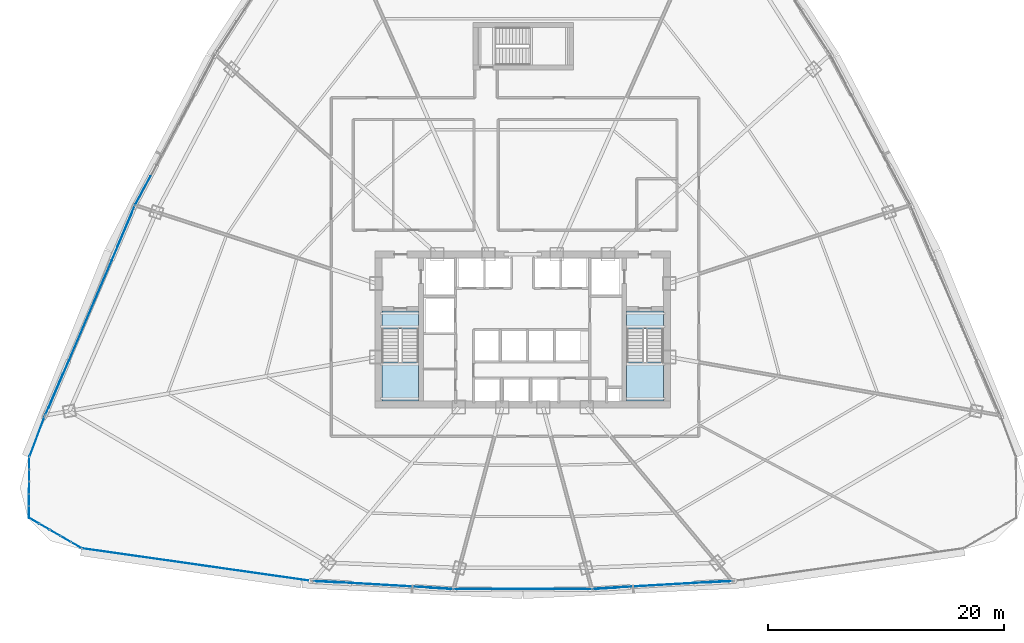
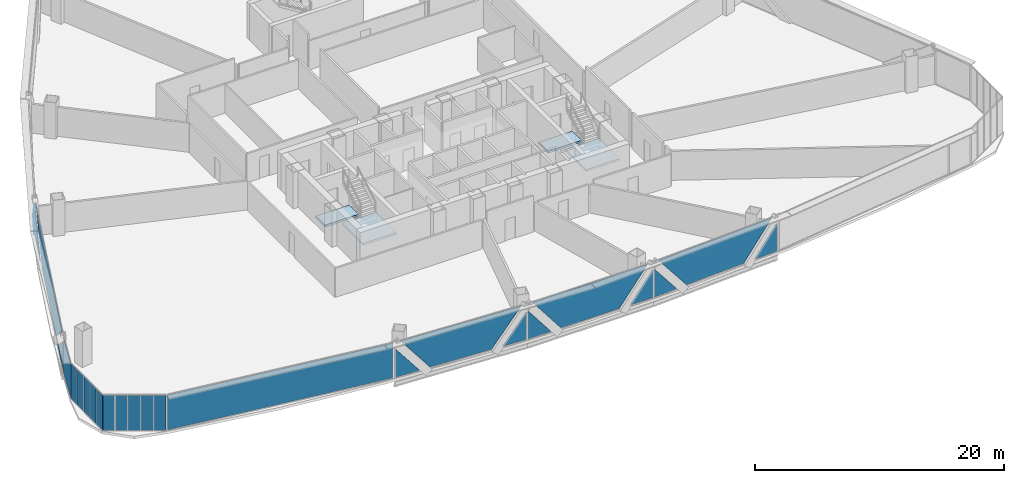
# One storey, part 28 of 39: 25 plates, 4 slabs, 11 elements without a shape of their own.
"""IFC4 building model written with IfcOpenShell, lengths in metres."""

from ifc_helpers import new_model, si_unit, direction, frame, origin, origin_2d, place, context, subcontext, project, spatial, polyline, rectangle, outline, extrude, source, transform, mapped, material, layer, layer_set, type_object, element, aggregate, save


model = new_model("IFC4")

# Units and contexts
model_context = context("Model", 3, precision=1e-05, world=origin(), true_north=direction((0.0, 1.0)))
body_context = subcontext(model_context, "Body", "Model", "MODEL_VIEW")
ifc_project = project(units=[si_unit("LENGTHUNIT", "METRE"), si_unit("AREAUNIT", "SQUARE_METRE"), si_unit("VOLUMEUNIT", "CUBIC_METRE"), si_unit("PLANEANGLEUNIT", "RADIAN"), si_unit("MASSUNIT", "GRAM", prefix="KILO"), si_unit("THERMODYNAMICTEMPERATUREUNIT", "KELVIN"), si_unit("POWERUNIT", "WATT")], contexts=[model_context])

# Site, building, storey
site_placement = place(None, origin())
site = spatial("IfcSite", under=ifc_project, at=site_placement, CompositionType="ELEMENT")
building_placement = place(site_placement, origin())
building = spatial("IfcBuilding", under=site, at=building_placement, Name="Yunzhuo Pagoda Commons", CompositionType="ELEMENT")
storey_placement = place(building_placement, frame((0.0, 0.0, 92.580078125)))
storey = spatial("IfcBuildingStorey", under=building, at=storey_placement, Name="L23", CompositionType="ELEMENT", Elevation=92.580078125)

# Curtain wall, plates
ifc_material_1 = material(Name="Anodized aluminium 6063-T6", Category="aluminium")
ifc_layer_1 = layer(ifc_material_1, 0.1650390625)
ifc_layer_set_1 = layer_set([ifc_layer_1], Name="Anodized aluminium 6063-T6")
curtain_wall_type_1 = type_object("IfcCurtainWallType", Name="CW-LOW Low-Zone Ribbon Curtain Wall", PredefinedType="NOTDEFINED", material=ifc_layer_set_1)
curtain_wall_1_placement = place(storey_placement, origin())
curtain_wall_1 = element("IfcCurtainWall", 1, at=curtain_wall_1_placement, inside=storey, type_object=curtain_wall_type_1, Name="L23 curtain wall CW-L23-F1B2", PredefinedType="NOTDEFINED")
ifc_material_2 = material(Name="Tempered low-e double glazing", Category="glass")
ifc_layer_2 = layer(ifc_material_2, 0.028076171875)
ifc_layer_set_2 = layer_set([ifc_layer_2], Name="Tempered low-e double glazing")
plate_type_1 = type_object("IfcPlateType", Name="CW-LOW-P Low-E Double Glazing 28", PredefinedType="CURTAIN_PANEL", material=ifc_layer_set_2)
plate_1_placement = place(storey_placement, frame((31.40478515625, 12.494873046875, 1.450439453125), z_axis=(-0.057299493103, -0.998357034377, 0.0), x_axis=(0.998357034377, -0.057299493103, 0.0)))
plate_1 = element("IfcPlate", 2, at=plate_1_placement, type_object=plate_type_1, Name="CW panel 1.1 lite 1", PredefinedType="CURTAIN_PANEL", context=body_context, shape_type="SweptSolid", body=[
    extrude(outline(polyline([(-1.09033203125, -1.390625), (1.09033203125, -1.390625), (-1.09033203125, 1.390625), (-1.09033203125, -1.390625)])), origin(), (0.0, 0.0, 1.0), 0.028076171875),
])
plate_2_placement = place(storey_placement, frame((36.202392578125, 12.24951171875, 1.77001953125), z_axis=(-0.057299493103, -0.998357034377, 0.0), x_axis=(0.998357034377, -0.057299493103, 0.0)))
plate_2 = element("IfcPlate", 3, at=plate_2_placement, type_object=plate_type_1, Name="CW panel 1.1 lite 2", PredefinedType="CURTAIN_PANEL", context=body_context, shape_type="SweptSolid", body=[
    extrude(outline(polyline([(-5.42919921875, 1.7099609375), (-2.74755859375, -1.7099609375), (2.74755859375, -1.7099609375), (5.42919921875, 1.7099609375), (-5.42919921875, 1.7099609375)])), origin(), (0.0, 0.0, 1.0), 0.028076171875),
])
plate_3_placement = place(storey_placement, frame((40.996337890625, 11.9443359375, 1.450439453125), z_axis=(-0.057299493103, -0.998357034377, 0.0), x_axis=(0.998357034377, -0.057299493103, 0.0)))
plate_3 = element("IfcPlate", 4, at=plate_3_placement, type_object=plate_type_1, Name="CW panel 1.1 lite 3", PredefinedType="CURTAIN_PANEL", context=body_context, shape_type="SweptSolid", body=[
    extrude(outline(polyline([(-1.09033203125, -1.390625), (1.09033203125, -1.390625), (1.09033203125, 1.390625), (-1.09033203125, -1.390625)])), origin(), (0.0, 0.0, 1.0), 0.028076171875),
])
aggregate(curtain_wall_1, [plate_1, plate_2, plate_3])

curtain_wall_2_placement = place(storey_placement, origin())
curtain_wall_2 = element("IfcCurtainWall", 5, at=curtain_wall_2_placement, inside=storey, type_object=curtain_wall_type_1, Name="L23 curtain wall CW-L23-F1B3", PredefinedType="NOTDEFINED")
plate_4_placement = place(storey_placement, frame((43.281494140625, 11.87841796875, 1.4462890625), z_axis=(0.0, -1.0, 0.0), x_axis=(1.0, 0.0, 0.0)))
plate_4 = element("IfcPlate", 6, at=plate_4_placement, type_object=plate_type_1, Name="CW panel 1.1 lite 1", PredefinedType="CURTAIN_PANEL", context=body_context, shape_type="SweptSolid", body=[
    extrude(outline(polyline([(-1.0673828125, -1.38623046875), (1.0673828125, -1.38623046875), (-1.0673828125, 1.38623046875), (-1.0673828125, -1.38623046875)])), origin(), (0.0, 0.0, 1.0), 0.028076171875),
])
plate_5_placement = place(storey_placement, frame((48.0, 11.908203125, 1.77001953125), z_axis=(0.0, -1.0, 0.0), x_axis=(1.0, 0.0, 0.0)))
plate_5 = element("IfcPlate", 7, at=plate_5_placement, type_object=plate_type_1, Name="CW panel 1.1 lite 2", PredefinedType="CURTAIN_PANEL", context=body_context, shape_type="SweptSolid", body=[
    extrude(outline(polyline([(-5.3251953125, 1.7099609375), (-2.692138671875, -1.7099609375), (2.692138671875, -1.7099609375), (5.3251953125, 1.7099609375), (-5.3251953125, 1.7099609375)])), origin(), (0.0, 0.0, 1.0), 0.028076171875),
])
plate_6_placement = place(storey_placement, frame((52.718505859375, 11.87841796875, 1.4462890625), z_axis=(0.0, -1.0, 0.0), x_axis=(1.0, 0.0, 0.0)))
plate_6 = element("IfcPlate", 8, at=plate_6_placement, type_object=plate_type_1, Name="CW panel 1.1 lite 3", PredefinedType="CURTAIN_PANEL", context=body_context, shape_type="SweptSolid", body=[
    extrude(outline(polyline([(-1.0673828125, -1.38623046875), (1.0673828125, -1.38623046875), (1.0673828125, 1.38623046875), (-1.0673828125, -1.38623046875)])), origin(), (0.0, 0.0, 1.0), 0.028076171875),
])
aggregate(curtain_wall_2, [plate_4, plate_5, plate_6])

curtain_wall_3_placement = place(storey_placement, origin())
curtain_wall_3 = element("IfcCurtainWall", 9, at=curtain_wall_3_placement, inside=storey, type_object=curtain_wall_type_1, Name="L23 curtain wall CW-L23-F1B4", PredefinedType="NOTDEFINED")
plate_7_placement = place(storey_placement, frame((55.003662109375, 11.9443359375, 1.450439453125), z_axis=(0.057299493103, -0.998357034377, 0.0), x_axis=(0.998357034377, 0.057299493103, 0.0)))
plate_7 = element("IfcPlate", 10, at=plate_7_placement, type_object=plate_type_1, Name="CW panel 1.1 lite 1", PredefinedType="CURTAIN_PANEL", context=body_context, shape_type="SweptSolid", body=[
    extrude(outline(polyline([(-1.09033203125, -1.390625), (1.09033203125, -1.390625), (-1.09033203125, 1.390625), (-1.09033203125, -1.390625)])), origin(), (0.0, 0.0, 1.0), 0.028076171875),
])
plate_8_placement = place(storey_placement, frame((59.797607421875, 12.24951171875, 1.77001953125), z_axis=(0.057299493103, -0.998357034377, 0.0), x_axis=(0.998357034377, 0.057299493103, 0.0)))
plate_8 = element("IfcPlate", 11, at=plate_8_placement, type_object=plate_type_1, Name="CW panel 1.1 lite 2", PredefinedType="CURTAIN_PANEL", context=body_context, shape_type="SweptSolid", body=[
    extrude(outline(polyline([(-5.42919921875, 1.7099609375), (-2.74755859375, -1.7099609375), (2.74755859375, -1.7099609375), (5.42919921875, 1.7099609375), (-5.42919921875, 1.7099609375)])), origin(), (0.0, 0.0, 1.0), 0.028076171875),
])
plate_9_placement = place(storey_placement, frame((64.59521484375, 12.494873046875, 1.450439453125), z_axis=(0.057299493103, -0.998357034377, 0.0), x_axis=(0.998357034377, 0.057299493103, 0.0)))
plate_9 = element("IfcPlate", 12, at=plate_9_placement, type_object=plate_type_1, Name="CW panel 1.1 lite 3", PredefinedType="CURTAIN_PANEL", context=body_context, shape_type="SweptSolid", body=[
    extrude(outline(polyline([(-1.09033203125, -1.390625), (1.09033203125, -1.390625), (1.09033203125, 1.390625), (-1.09033203125, -1.390625)])), origin(), (0.0, 0.0, 1.0), 0.028076171875),
])
aggregate(curtain_wall_3, [plate_7, plate_8, plate_9])

# Curtain wall, plate
curtain_wall_4_placement = place(storey_placement, origin())
curtain_wall_4 = element("IfcCurtainWall", 13, at=curtain_wall_4_placement, inside=storey, type_object=curtain_wall_type_1, Name="L23 curtain wall CW-L23-F3B3", PredefinedType="NOTDEFINED")
plate_10_placement = place(storey_placement, frame((15.885009765625, 45.60791015625, 1.489990234375), z_axis=(-0.882975865639, 0.469418385558, 0.0), x_axis=(-0.469418385558, -0.882975865639, 0.0)))
plate_10 = element("IfcPlate", 14, at=plate_10_placement, type_object=plate_type_1, Name="CW panel 1.1 lite 3", PredefinedType="CURTAIN_PANEL", context=body_context, shape_type="SweptSolid", body=[
    extrude(outline(polyline([(-1.360107421875, -1.43017578125), (1.360107421875, -1.43017578125), (1.360107421875, 1.43017578125), (-1.360107421875, -1.43017578125)])), origin(), (0.0, 0.0, 1.0), 0.028076171875),
])
aggregate(curtain_wall_4, [plate_10])

# Curtain wall, plates
curtain_wall_5_placement = place(storey_placement, origin())
curtain_wall_5 = element("IfcCurtainWall", 15, at=curtain_wall_5_placement, inside=storey, type_object=curtain_wall_type_1, Name="L23 curtain wall CW-L23-F3B4", PredefinedType="NOTDEFINED")
plate_11_placement = place(storey_placement, frame((14.453857421875, 42.56787109375, 1.53271484375), z_axis=(-0.919382894415, 0.393363818185, 0.0), x_axis=(-0.393363818185, -0.919382894415, 0.0)))
plate_11 = element("IfcPlate", 16, at=plate_11_placement, type_object=plate_type_1, Name="CW panel 1.1 lite 1", PredefinedType="CURTAIN_PANEL", context=body_context, shape_type="SweptSolid", body=[
    extrude(outline(polyline([(-1.873779296875, -1.472900390625), (1.873779296875, -1.472900390625), (-1.873779296875, 1.472900390625), (-1.873779296875, -1.472900390625)])), origin(), (0.0, 0.0, 1.0), 0.028076171875),
])
plate_12_placement = place(storey_placement, frame((11.4404296875, 35.448486328125, 1.77001953125), z_axis=(-0.919382894415, 0.393363818185, 0.0), x_axis=(-0.393363818185, -0.919382894415, 0.0)))
plate_12 = element("IfcPlate", 17, at=plate_12_placement, type_object=plate_type_1, Name="CW panel 1.1 lite 2", PredefinedType="CURTAIN_PANEL", context=body_context, shape_type="SweptSolid", body=[
    extrude(outline(polyline([(-8.978515625, 1.7099609375), (-4.627197265625, -1.7099609375), (4.627197265625, -1.7099609375), (8.978515625, 1.7099609375), (-8.978515625, 1.7099609375)])), origin(), (0.0, 0.0, 1.0), 0.028076171875),
])
plate_13_placement = place(storey_placement, frame((8.371826171875, 28.352783203125, 1.53271484375), z_axis=(-0.919382894415, 0.393363818185, 0.0), x_axis=(-0.393363818185, -0.919382894415, 0.0)))
plate_13 = element("IfcPlate", 18, at=plate_13_placement, type_object=plate_type_1, Name="CW panel 1.1 lite 3", PredefinedType="CURTAIN_PANEL", context=body_context, shape_type="SweptSolid", body=[
    extrude(outline(polyline([(-1.873779296875, -1.472900390625), (1.873779296875, -1.472900390625), (1.873779296875, 1.472900390625), (-1.873779296875, -1.472900390625)])), origin(), (0.0, 0.0, 1.0), 0.028076171875),
])
aggregate(curtain_wall_5, [plate_11, plate_12, plate_13])

# Stair, slabs
ifc_material_3 = material(Name="Concrete C40", Category="concrete")
stair_type_1 = type_object("IfcStairType", Name="ST-C1 Core Smokeproof Stair ST1", PredefinedType="HALF_TURN_STAIR", material=ifc_material_3)
stair_1_placement = place(storey_placement, origin())
stair_1 = element("IfcStair", 19, at=stair_1_placement, inside=storey, type_object=stair_type_1, Name="L23 Core smokeproof stair ST1", PredefinedType="HALF_TURN_STAIR")
ifc_layer_3 = layer(ifc_material_3, 0.199951171875)
ifc_layer_set_3 = layer_set([ifc_layer_3], Name="Concrete C40")
slab_type_1 = type_object("IfcSlabType", Name="SL-LND1 Stair Landing Slab 200", PredefinedType="LANDING", material=ifc_layer_set_3)
slab_1_placement = place(storey_placement, frame((0.0, 0.0, 1.699951171875)))
slab_1 = element("IfcSlab", 20, at=slab_1_placement, type_object=slab_type_1, Name="ST1 landing 1", PredefinedType="LANDING", context=body_context, shape_type="SweptSolid", body=[
    extrude(outline(polyline([(36.10009765625, 31.10009765625), (36.10009765625, 27.800048828125), (39.199951171875, 27.800048828125), (39.199951171875, 31.10009765625), (36.10009765625, 31.10009765625)])), origin(), (0.0, 0.0, 1.0), 0.199951171875),
])
slab_2_placement = place(storey_placement, frame((0.0, 0.0, -0.2001953125)))
slab_2 = element("IfcSlab", 21, at=slab_2_placement, type_object=slab_type_1, Name="ST1 floor landing L23", PredefinedType="LANDING", context=body_context, shape_type="SweptSolid", body=[
    extrude(outline(polyline([(36.10009765625, 35.39990234375), (36.10009765625, 33.89990234375), (39.199951171875, 33.89990234375), (39.199951171875, 35.39990234375), (36.10009765625, 35.39990234375)])), origin(), (0.0, 0.0, 1.0), 0.2001953125),
])
aggregate(stair_1, [slab_1, slab_2])

stair_type_2 = type_object("IfcStairType", Name="ST-C2 Core Smokeproof Stair ST2", PredefinedType="HALF_TURN_STAIR", material=ifc_material_3)
stair_2_placement = place(storey_placement, origin())
stair_2 = element("IfcStair", 22, at=stair_2_placement, inside=storey, type_object=stair_type_2, Name="L23 Core smokeproof stair ST2", PredefinedType="HALF_TURN_STAIR")
ifc_layer_4 = layer(ifc_material_3, 0.201904296875)
ifc_layer_set_4 = layer_set([ifc_layer_4], Name="Concrete C40")
slab_type_2 = type_object("IfcSlabType", Name="SL-LND2 Stair Landing Slab 202", PredefinedType="LANDING", material=ifc_layer_set_4)
slab_3_placement = place(storey_placement, frame((0.0, 0.0, 1.699951171875)))
slab_3 = element("IfcSlab", 23, at=slab_3_placement, type_object=slab_type_2, Name="ST2 landing 1", PredefinedType="LANDING", context=body_context, shape_type="SweptSolid", body=[
    extrude(outline(polyline([(56.800048828125, 31.10009765625), (56.800048828125, 27.800048828125), (59.89990234375, 27.800048828125), (59.89990234375, 31.10009765625), (56.800048828125, 31.10009765625)])), origin(), (0.0, 0.0, 1.0), 0.199951171875),
])
slab_4_placement = place(storey_placement, frame((0.0, 0.0, -0.2001953125)))
slab_4 = element("IfcSlab", 24, at=slab_4_placement, type_object=slab_type_2, Name="ST2 floor landing L23", PredefinedType="LANDING", context=body_context, shape_type="SweptSolid", body=[
    extrude(outline(polyline([(56.800048828125, 35.39990234375), (56.800048828125, 33.89990234375), (59.89990234375, 33.89990234375), (59.89990234375, 35.39990234375), (56.800048828125, 35.39990234375)])), origin(), (0.0, 0.0, 1.0), 0.2001953125),
])
aggregate(stair_2, [slab_3, slab_4])

# Curtain wall, plate
curtain_wall_6_placement = place(storey_placement, origin())
curtain_wall_6 = element("IfcCurtainWall", 25, at=curtain_wall_6_placement, inside=storey, type_object=curtain_wall_type_1, Name="L23 curtain wall CW-L23-F1B1", PredefinedType="NOTDEFINED")
shared_shape_1 = source(origin(), body_context, "Body", "SweptSolid", [
    extrude(rectangle(XDim=19.5625, YDim=0.028076171875, at=origin_2d()), origin(), (0.0, 0.0, 1.0), 3.419921875),
])
plate_14_placement = place(storey_placement, frame((20.427978515625, 13.94384765625, 0.06005859375), z_axis=(0.0, 0.0, 1.0), x_axis=(0.990041803855, -0.140773671614, 0.0)))
plate_14 = element("IfcPlate", 26, at=plate_14_placement, type_object=plate_type_1, Name="CW panel 1.1", PredefinedType="CURTAIN_PANEL", context=body_context, shape_type="MappedRepresentation", body=[
    mapped(shared_shape_1, transform((0.0, 0.0, 0.0), scale=1.0)),
])
aggregate(curtain_wall_6, [plate_14])

curtain_wall_7_placement = place(storey_placement, origin())
curtain_wall_7 = element("IfcCurtainWall", 27, at=curtain_wall_7_placement, inside=storey, type_object=curtain_wall_type_1, Name="L23 curtain wall CW-L23-F3B5", PredefinedType="NOTDEFINED")
shared_shape_2 = source(origin(), body_context, "Body", "SweptSolid", [
    extrude(rectangle(XDim=3.582763671875, YDim=0.028076171875, at=origin_2d()), origin(), (0.0, 0.0, 1.0), 3.419921875),
])
plate_15_placement = place(storey_placement, frame((6.913330078125, 24.768798828125, 0.06005859375), z_axis=(0.0, 0.0, 1.0), x_axis=(-0.353448231461, -0.935454086355, 0.0)))
plate_15 = element("IfcPlate", 28, at=plate_15_placement, type_object=plate_type_1, Name="CW panel 1.1", PredefinedType="CURTAIN_PANEL", context=body_context, shape_type="MappedRepresentation", body=[
    mapped(shared_shape_2, transform((0.0, 0.0, 0.0), scale=1.0)),
])
aggregate(curtain_wall_7, [plate_15])

# Curtain wall, plates
ifc_layer_5 = layer(ifc_material_1, 0.1298828125)
ifc_layer_set_5 = layer_set([ifc_layer_5], Name="Anodized aluminium 6063-T6")
curtain_wall_type_2 = type_object("IfcCurtainWallType", Name="CW-VTX Rounded Corner Curtain Wall", PredefinedType="NOTDEFINED", material=ifc_layer_set_5)
curtain_wall_8_placement = place(storey_placement, origin())
curtain_wall_8 = element("IfcCurtainWall", 29, at=curtain_wall_8_placement, inside=storey, type_object=curtain_wall_type_2, Name="L23 curtain wall CW-L23-VTX1S1", PredefinedType="NOTDEFINED")
ifc_layer_6 = layer(ifc_material_2, 0.02587890625)
ifc_layer_set_6 = layer_set([ifc_layer_6], Name="Tempered low-e double glazing")
plate_type_2 = type_object("IfcPlateType", Name="CW-VTX-P Low-E Double Glazing 26", PredefinedType="CURTAIN_PANEL", material=ifc_layer_set_6)
shared_shape_3 = source(origin(), body_context, "Body", "SweptSolid", [
    extrude(rectangle(XDim=0.953125, YDim=0.028076171875, at=origin_2d()), origin(), (0.0, 0.0, 1.0), 3.429931640625),
])
plate_16_placement = place(storey_placement, frame((6.25537109375, 22.500732421875, 0.05517578125), z_axis=(0.0, 0.0, 1.0), x_axis=(-0.003572992237, -0.999993616843, 0.0)))
plate_16 = element("IfcPlate", 30, at=plate_16_placement, type_object=plate_type_2, Name="CW panel 1.1", PredefinedType="CURTAIN_PANEL", context=body_context, shape_type="MappedRepresentation", body=[
    mapped(shared_shape_3, transform((0.0, 0.0, 0.0), scale=1.0)),
])
plate_17_placement = place(storey_placement, frame((6.24072265625, 18.38623046875, 0.05517578125), z_axis=(0.0, 0.0, 1.0), x_axis=(-0.003572992237, -0.999993616843, 0.0)))
plate_17 = element("IfcPlate", 31, at=plate_17_placement, type_object=plate_type_2, Name="CW panel 5.1", PredefinedType="CURTAIN_PANEL", context=body_context, shape_type="MappedRepresentation", body=[
    mapped(shared_shape_3, transform((0.0, 0.0, 0.0), scale=1.0)),
])

curtain_wall_9_placement = place(storey_placement, origin())
curtain_wall_9 = element("IfcCurtainWall", 32, at=curtain_wall_9_placement, inside=storey, type_object=curtain_wall_type_2, Name="L23 curtain wall CW-L23-VTX1S2", PredefinedType="NOTDEFINED")
plate_18_placement = place(storey_placement, frame((6.658935546875, 17.65771484375, 0.05517578125), z_axis=(0.0, 0.0, 1.0), x_axis=(0.865426726249, -0.501035509214, 0.0)))
plate_18 = element("IfcPlate", 33, at=plate_18_placement, type_object=plate_type_2, Name="CW panel 1.1", PredefinedType="CURTAIN_PANEL", context=body_context, shape_type="MappedRepresentation", body=[
    mapped(shared_shape_3, transform((0.0, 0.0, 0.0), scale=1.0)),
])
plate_19_placement = place(storey_placement, frame((10.2197265625, 15.59619140625, 0.05517578125), z_axis=(0.0, 0.0, 1.0), x_axis=(0.865426726249, -0.501035509214, 0.0)))
plate_19 = element("IfcPlate", 34, at=plate_19_placement, type_object=plate_type_2, Name="CW panel 5.1", PredefinedType="CURTAIN_PANEL", context=body_context, shape_type="MappedRepresentation", body=[
    mapped(shared_shape_3, transform((0.0, 0.0, 0.0), scale=1.0)),
])

# Plate
shared_shape_4 = source(origin(), body_context, "Body", "SweptSolid", [
    extrude(rectangle(XDim=0.98046875, YDim=0.028076171875, at=origin_2d()), origin(), (0.0, 0.0, 1.0), 3.429931640625),
])
plate_20_placement = place(storey_placement, frame((6.251708984375, 21.47900390625, 0.05517578125), z_axis=(0.0, 0.0, 1.0), x_axis=(-0.003572992237, -0.999993616843, 0.0)))
plate_20 = element("IfcPlate", 35, at=plate_20_placement, type_object=plate_type_2, Name="CW panel 2.1", PredefinedType="CURTAIN_PANEL", context=body_context, shape_type="MappedRepresentation", body=[
    mapped(shared_shape_4, transform((0.0, 0.0, 0.0), scale=1.0)),
])

plate_21_placement = place(storey_placement, frame((6.248046875, 20.443359375, 0.05517578125), z_axis=(0.0, 0.0, 1.0), x_axis=(-0.003572992237, -0.999993616843, 0.0)))
plate_21 = element("IfcPlate", 36, at=plate_21_placement, type_object=plate_type_2, Name="CW panel 3.1", PredefinedType="CURTAIN_PANEL", context=body_context, shape_type="MappedRepresentation", body=[
    mapped(shared_shape_4, transform((0.0, 0.0, 0.0), scale=1.0)),
])

plate_22_placement = place(storey_placement, frame((6.244384765625, 19.407958984375, 0.05517578125), z_axis=(0.0, 0.0, 1.0), x_axis=(-0.003572992237, -0.999993616843, 0.0)))
plate_22 = element("IfcPlate", 37, at=plate_22_placement, type_object=plate_type_2, Name="CW panel 4.1", PredefinedType="CURTAIN_PANEL", context=body_context, shape_type="MappedRepresentation", body=[
    mapped(shared_shape_4, transform((0.0, 0.0, 0.0), scale=1.0)),
])

aggregate(curtain_wall_8, [plate_16, plate_20, plate_21, plate_22, plate_17])

plate_23_placement = place(storey_placement, frame((7.543212890625, 17.145751953125, 0.05517578125), z_axis=(0.0, 0.0, 1.0), x_axis=(0.865426726249, -0.501035509214, 0.0)))
plate_23 = element("IfcPlate", 38, at=plate_23_placement, type_object=plate_type_2, Name="CW panel 2.1", PredefinedType="CURTAIN_PANEL", context=body_context, shape_type="MappedRepresentation", body=[
    mapped(shared_shape_4, transform((0.0, 0.0, 0.0), scale=1.0)),
])

plate_24_placement = place(storey_placement, frame((8.439453125, 16.626953125, 0.05517578125), z_axis=(0.0, 0.0, 1.0), x_axis=(0.865426726249, -0.501035509214, 0.0)))
plate_24 = element("IfcPlate", 39, at=plate_24_placement, type_object=plate_type_2, Name="CW panel 3.1", PredefinedType="CURTAIN_PANEL", context=body_context, shape_type="MappedRepresentation", body=[
    mapped(shared_shape_4, transform((0.0, 0.0, 0.0), scale=1.0)),
])

plate_25_placement = place(storey_placement, frame((9.33544921875, 16.108154296875, 0.05517578125), z_axis=(0.0, 0.0, 1.0), x_axis=(0.865426726249, -0.501035509214, 0.0)))
plate_25 = element("IfcPlate", 40, at=plate_25_placement, type_object=plate_type_2, Name="CW panel 4.1", PredefinedType="CURTAIN_PANEL", context=body_context, shape_type="MappedRepresentation", body=[
    mapped(shared_shape_4, transform((0.0, 0.0, 0.0), scale=1.0)),
])

aggregate(curtain_wall_9, [plate_18, plate_23, plate_24, plate_25, plate_19])

save(model, "model.ifc")
